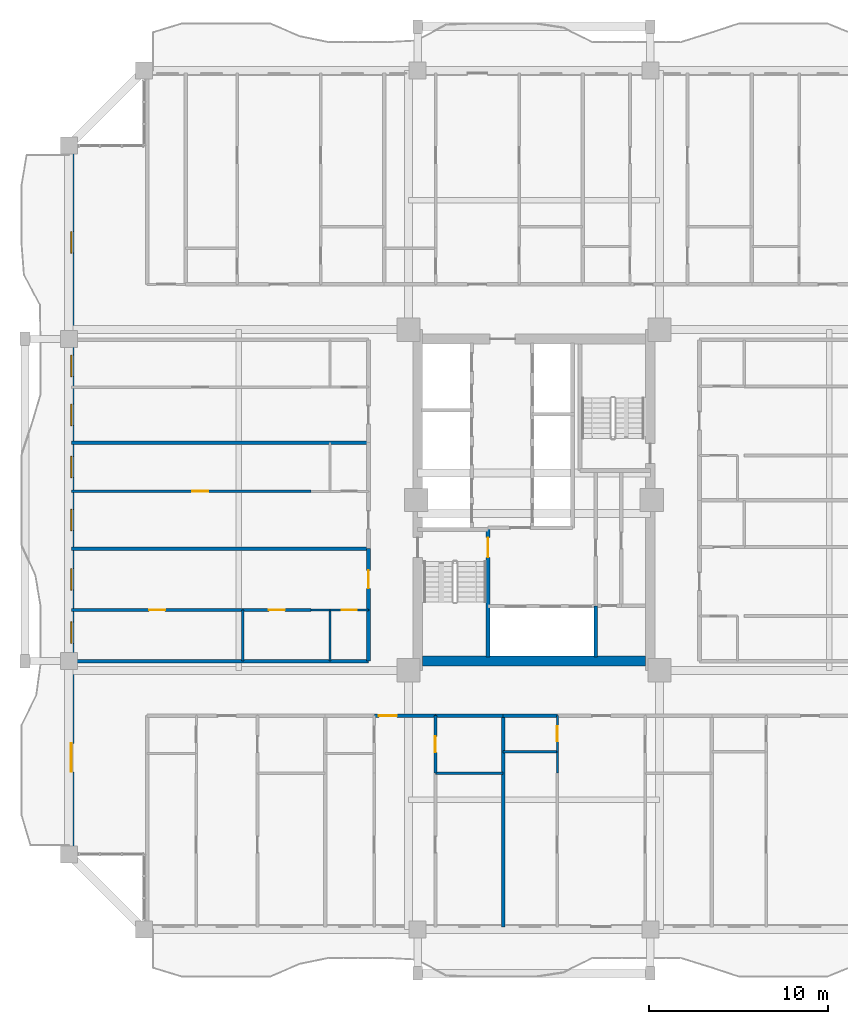
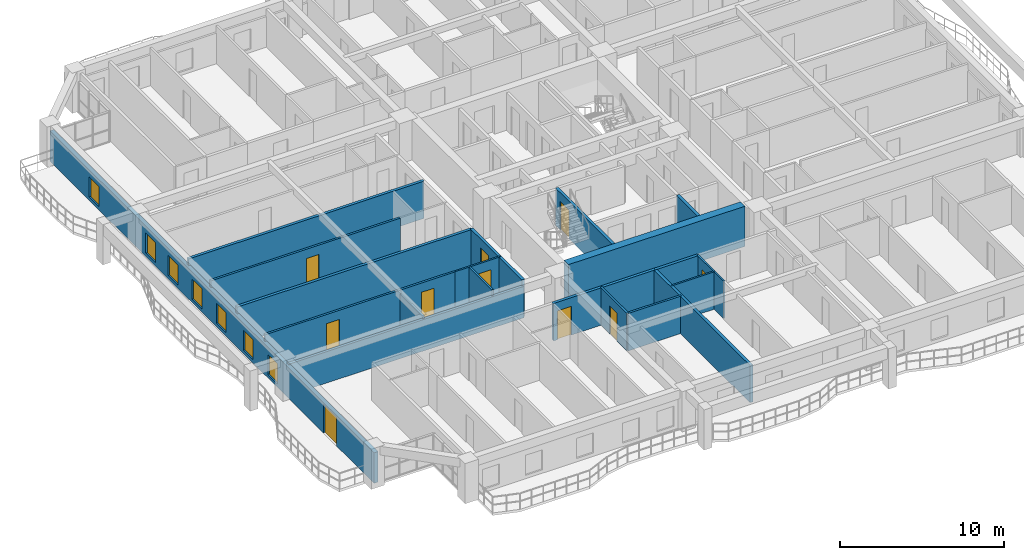
# One storey, part 15 of 26: 25 walls, 10 doors, 7 windows, 17 openings.
"""IFC4 building model written with IfcOpenShell, lengths in metres."""

from ifc_helpers import new_model, si_unit, direction, frame, frame_2d, origin, place, context, subcontext, project, spatial, rectangle, extrude, source, transform, mapped, material, layer, layer_set, type_object, element, fill, save


model = new_model("IFC4")

# Units and contexts
model_context = context("Model", 3, precision=1e-05, world=origin(), true_north=direction((0.0, 1.0)))
body_context = subcontext(model_context, "Body", "Model", "MODEL_VIEW")
ifc_project = project(units=[si_unit("LENGTHUNIT", "METRE"), si_unit("AREAUNIT", "SQUARE_METRE"), si_unit("VOLUMEUNIT", "CUBIC_METRE"), si_unit("PLANEANGLEUNIT", "RADIAN"), si_unit("MASSUNIT", "GRAM", prefix="KILO")], contexts=[model_context])

# Site, building, storey
site_placement = place(None, origin())
site = spatial("IfcSite", under=ifc_project, at=site_placement, CompositionType="ELEMENT")
building_placement = place(site_placement, origin())
building = spatial("IfcBuilding", under=site, at=building_placement, Name="Saelheon Loggia Tower", CompositionType="ELEMENT")
storey_placement = place(building_placement, frame((0.0, 0.0, 89.85009765625)))
storey = spatial("IfcBuildingStorey", under=building, at=storey_placement, Name="L28", CompositionType="ELEMENT", Elevation=89.85009765625)

# Wall
ifc_material_1 = material(Name="Concrete C50/60", Category="concrete")
ifc_layer_1 = layer(ifc_material_1, 0.550048828125)
ifc_layer_set_1 = layer_set([ifc_layer_1], Name="Concrete C50/60")
wall_type_1 = type_object("IfcWallType", Name="Wall_CoreShear_550", PredefinedType="SHEAR", material=ifc_layer_set_1)
wall_1_placement = place(storey_placement, frame((31.77490234375, 18.0, 0.0), z_axis=(0.0, 0.0, 1.0), x_axis=(1.0, 0.0, 0.0)))
element("IfcWall", 1, at=wall_1_placement, inside=storey, type_object=wall_type_1, Name="L28 Core Shear Wall South", PredefinedType="SHEAR", context=body_context, shape_type="SweptSolid", body=[
    extrude(rectangle(XDim=12.4501953125, YDim=0.550048828125, at=frame_2d((6.22509765625, 0.0))), origin(), (0.0, 0.0, 1.0), 3.0),
])

# Wall, openings, windows, door
ifc_material_2 = material(Name="Architectural Precast Concrete C40/50", Category="concrete")
ifc_layer_2 = layer(ifc_material_2, 0.280029296875)
ifc_layer_set_2 = layer_set([ifc_layer_2], Name="Architectural Precast Concrete C40/50")
wall_type_2 = type_object("IfcWallType", Name="Wall_Ext_Loggia_280", PredefinedType="SOLIDWALL", material=ifc_layer_set_2)
wall_2_placement = place(storey_placement, frame((12.139892578125, 7.199951171875, 0.0), z_axis=(0.0, 0.0, 1.0), x_axis=(0.0, 1.0, 0.0)))
wall_2 = element("IfcWall", 2, at=wall_2_placement, inside=storey, type_object=wall_type_2, Name="L28 West Loggia Inner Wall", PredefinedType="SOLIDWALL", context=body_context, shape_type="SweptSolid", body=[
    extrude(rectangle(XDim=39.60009765625, YDim=0.280029296875, at=frame_2d((19.800048828125, 0.0))), origin(), (0.0, 0.0, 1.0), 2.27978515625),
])
opening_1_placement = place(wall_2_placement, frame((4.60009765625, 0.0, 0.0)))
opening_1 = element("IfcOpeningElement", 3, at=opening_1_placement, cuts=wall_2, Name="Opening DLG-1", PredefinedType="OPENING", context=body_context, shape_type="SweptSolid", body=[
    extrude(rectangle(XDim=1.60009765625, YDim=2.14990234375, at=frame_2d((0.800048828125, 1.074951171875))), frame((0.0, 0.152099609375, 0.0), z_axis=(0.0, -1.0, 0.0), x_axis=(1.0, 0.0, 0.0)), (0.0, 0.0, 1.0), 0.303955078125),
])
opening_2_placement = place(wall_2_placement, frame((11.782470703125, 0.0, 0.25)))
opening_2 = element("IfcOpeningElement", 4, at=opening_2_placement, cuts=wall_2, Name="Opening WN-03", PredefinedType="OPENING", context=body_context, shape_type="SweptSolid", body=[
    extrude(rectangle(XDim=1.199951171875, YDim=1.5, at=frame_2d((0.60009765625, 0.75))), frame((0.0, 0.152099609375, 0.0), z_axis=(0.0, -1.0, 0.0), x_axis=(1.0, 0.0, 0.0)), (0.0, 0.0, 1.0), 0.303955078125),
])
opening_3_placement = place(wall_2_placement, frame((14.766357421875, 0.0, 0.25)))
opening_3 = element("IfcOpeningElement", 5, at=opening_3_placement, cuts=wall_2, Name="Opening WN-03", PredefinedType="OPENING", context=body_context, shape_type="SweptSolid", body=[
    extrude(rectangle(XDim=1.199951171875, YDim=1.5, at=frame_2d((0.60009765625, 0.75))), frame((0.0, 0.152099609375, 0.0), z_axis=(0.0, -1.0, 0.0), x_axis=(1.0, 0.0, 0.0)), (0.0, 0.0, 1.0), 0.303955078125),
])
opening_4_placement = place(wall_2_placement, frame((18.081787109375, 0.0, 0.25)))
opening_4 = element("IfcOpeningElement", 6, at=opening_4_placement, cuts=wall_2, Name="Opening WN-03", PredefinedType="OPENING", context=body_context, shape_type="SweptSolid", body=[
    extrude(rectangle(XDim=1.199951171875, YDim=1.5, at=frame_2d((0.60009765625, 0.75))), frame((0.0, 0.152099609375, 0.0), z_axis=(0.0, -1.0, 0.0), x_axis=(1.0, 0.0, 0.0)), (0.0, 0.0, 1.0), 0.303955078125),
])
opening_5_placement = place(wall_2_placement, frame((21.043701171875, 0.0, 0.25)))
opening_5 = element("IfcOpeningElement", 7, at=opening_5_placement, cuts=wall_2, Name="Opening WN-03", PredefinedType="OPENING", context=body_context, shape_type="SweptSolid", body=[
    extrude(rectangle(XDim=1.199951171875, YDim=1.5, at=frame_2d((0.60009765625, 0.75))), frame((0.0, 0.152099609375, 0.0), z_axis=(0.0, -1.0, 0.0), x_axis=(1.0, 0.0, 0.0)), (0.0, 0.0, 1.0), 0.303955078125),
])
opening_6_placement = place(wall_2_placement, frame((23.956787109375, 0.0, 0.25)))
opening_6 = element("IfcOpeningElement", 8, at=opening_6_placement, cuts=wall_2, Name="Opening WN-03", PredefinedType="OPENING", context=body_context, shape_type="SweptSolid", body=[
    extrude(rectangle(XDim=1.199951171875, YDim=1.5, at=frame_2d((0.60009765625, 0.75))), frame((0.0, 0.152099609375, 0.0), z_axis=(0.0, -1.0, 0.0), x_axis=(1.0, 0.0, 0.0)), (0.0, 0.0, 1.0), 0.303955078125),
])
opening_7_placement = place(wall_2_placement, frame((26.6962890625, 0.0, 0.25)))
opening_7 = element("IfcOpeningElement", 9, at=opening_7_placement, cuts=wall_2, Name="Opening WN-03", PredefinedType="OPENING", context=body_context, shape_type="SweptSolid", body=[
    extrude(rectangle(XDim=1.199951171875, YDim=1.5, at=frame_2d((0.60009765625, 0.75))), frame((0.0, 0.152099609375, 0.0), z_axis=(0.0, -1.0, 0.0), x_axis=(1.0, 0.0, 0.0)), (0.0, 0.0, 1.0), 0.303955078125),
])
opening_8_placement = place(wall_2_placement, frame((33.60009765625, 0.0, 0.25)))
opening_8 = element("IfcOpeningElement", 10, at=opening_8_placement, cuts=wall_2, Name="Opening WN-03", PredefinedType="OPENING", context=body_context, shape_type="SweptSolid", body=[
    extrude(rectangle(XDim=1.199951171875, YDim=1.5, at=frame_2d((0.60009765625, 0.75))), frame((0.0, 0.152099609375, 0.0), z_axis=(0.0, -1.0, 0.0), x_axis=(1.0, 0.0, 0.0)), (0.0, 0.0, 1.0), 0.303955078125),
])
ifc_material_3 = material(Name="Thermal-Break Aluminium and Triple Low-E Glass", Category="aluminium")
window_type = type_object("IfcWindowType", Name="Win_Bedroom_1200x1500", PartitioningType="SINGLE_PANEL", PredefinedType="WINDOW", material=ifc_material_3)
shared_shape_1 = source(origin(), body_context, "Body", "SweptSolid", [
    extrude(rectangle(XDim=1.199951171875, YDim=1.5, at=frame_2d((0.60009765625, 0.75))), frame((0.0, 0.030029296875, 0.0), z_axis=(0.0, -1.0, 0.0), x_axis=(1.0, 0.0, 0.0)), (0.0, 0.0, 1.0), 0.06005859375),
])
window_1_placement = place(opening_2_placement, origin())
window_1 = element("IfcWindow", 11, at=window_1_placement, inside=storey, type_object=window_type, Name="L28 W Dwelling Window 2", OverallHeight=1.5, OverallWidth=1.199951171875, PartitioningType="SINGLE_PANEL", PredefinedType="WINDOW", context=body_context, shape_type="MappedRepresentation", body=[
    mapped(shared_shape_1, transform((0.0, 0.0, 0.0), scale=1.0)),
])
fill(opening_2, window_1)
window_2_placement = place(opening_3_placement, origin())
window_2 = element("IfcWindow", 12, at=window_2_placement, inside=storey, type_object=window_type, Name="L28 W Dwelling Window 3", OverallHeight=1.5, OverallWidth=1.199951171875, PartitioningType="SINGLE_PANEL", PredefinedType="WINDOW", context=body_context, shape_type="MappedRepresentation", body=[
    mapped(shared_shape_1, transform((0.0, 0.0, 0.0), scale=1.0)),
])
fill(opening_3, window_2)
window_3_placement = place(opening_4_placement, origin())
window_3 = element("IfcWindow", 13, at=window_3_placement, inside=storey, type_object=window_type, Name="L28 W Dwelling Window 4", OverallHeight=1.5, OverallWidth=1.199951171875, PartitioningType="SINGLE_PANEL", PredefinedType="WINDOW", context=body_context, shape_type="MappedRepresentation", body=[
    mapped(shared_shape_1, transform((0.0, 0.0, 0.0), scale=1.0)),
])
fill(opening_4, window_3)
window_4_placement = place(opening_5_placement, origin())
window_4 = element("IfcWindow", 14, at=window_4_placement, inside=storey, type_object=window_type, Name="L28 W Dwelling Window 5", OverallHeight=1.5, OverallWidth=1.199951171875, PartitioningType="SINGLE_PANEL", PredefinedType="WINDOW", context=body_context, shape_type="MappedRepresentation", body=[
    mapped(shared_shape_1, transform((0.0, 0.0, 0.0), scale=1.0)),
])
fill(opening_5, window_4)
window_5_placement = place(opening_6_placement, origin())
window_5 = element("IfcWindow", 15, at=window_5_placement, inside=storey, type_object=window_type, Name="L28 W Dwelling Window 6", OverallHeight=1.5, OverallWidth=1.199951171875, PartitioningType="SINGLE_PANEL", PredefinedType="WINDOW", context=body_context, shape_type="MappedRepresentation", body=[
    mapped(shared_shape_1, transform((0.0, 0.0, 0.0), scale=1.0)),
])
fill(opening_6, window_5)
window_6_placement = place(opening_7_placement, origin())
window_6 = element("IfcWindow", 16, at=window_6_placement, inside=storey, type_object=window_type, Name="L28 W Dwelling Window 7", OverallHeight=1.5, OverallWidth=1.199951171875, PartitioningType="SINGLE_PANEL", PredefinedType="WINDOW", context=body_context, shape_type="MappedRepresentation", body=[
    mapped(shared_shape_1, transform((0.0, 0.0, 0.0), scale=1.0)),
])
fill(opening_7, window_6)
window_7_placement = place(opening_8_placement, origin())
window_7 = element("IfcWindow", 17, at=window_7_placement, inside=storey, type_object=window_type, Name="L28 W Dwelling Window 8", OverallHeight=1.5, OverallWidth=1.199951171875, PartitioningType="SINGLE_PANEL", PredefinedType="WINDOW", context=body_context, shape_type="MappedRepresentation", body=[
    mapped(shared_shape_1, transform((0.0, 0.0, 0.0), scale=1.0)),
])
fill(opening_8, window_7)
ifc_material_4 = material(Name="Thermal-Break Aluminium Sliding Glazed Door", Category="aluminium")
door_type_1 = type_object("IfcDoorType", Name="Door_LoggiaSlide_1600", OperationType="SLIDING_TO_LEFT", PredefinedType="DOOR", material=ifc_material_4)
shared_shape_2 = source(origin(), body_context, "Body", "SweptSolid", [
    extrude(rectangle(XDim=1.60009765625, YDim=2.14990234375, at=frame_2d((0.800048828125, 1.074951171875))), frame((0.0, 0.02490234375, 0.0), z_axis=(0.0, -1.0, 0.0), x_axis=(1.0, 0.0, 0.0)), (0.0, 0.0, 1.0), 0.050048828125),
])
door_1_placement = place(opening_1_placement, origin())
door_1 = element("IfcDoor", 18, at=door_1_placement, inside=storey, type_object=door_type_1, Name="L28 W Loggia Access Door", OperationType="SLIDING_TO_LEFT", OverallHeight=2.14990234375, OverallWidth=1.60009765625, PredefinedType="DOOR", context=body_context, shape_type="MappedRepresentation", body=[
    mapped(shared_shape_2, transform((0.0, 0.0, 0.0), scale=1.0)),
])
fill(opening_1, door_1)

# Wall
ifc_material_5 = material(Name="Lightweight Autoclaved Aerated Concrete Block and Acoustic Gypsum", Category="concrete")
ifc_layer_3 = layer(ifc_material_5, 0.14990234375)
ifc_layer_set_3 = layer_set([ifc_layer_3], Name="Lightweight Autoclaved Aerated Concrete Block and Acoustic Gypsum")
wall_type_3 = type_object("IfcWallType", Name="Wall_Part_150", PredefinedType="PARTITIONING", material=ifc_layer_set_3)
wall_3_placement = place(storey_placement, frame((32.4912109375, 11.72998046875, 0.0), z_axis=(0.0, 0.0, 1.0), x_axis=(1.0, 0.0, 0.0)))
element("IfcWall", 19, at=wall_3_placement, inside=storey, type_object=wall_type_3, Name="L28 S Partition V18", PredefinedType="PARTITIONING", context=body_context, shape_type="SweptSolid", body=[
    extrude(rectangle(XDim=3.779296875, YDim=0.14990234375, at=frame_2d((1.8896484375, 0.0))), origin(), (0.0, 0.0, 1.0), 2.789794921875),
])

# Wall, opening, door
wall_4_placement = place(storey_placement, frame((32.4912109375, 14.949951171875, 0.0), z_axis=(0.0, 0.0, 1.0), x_axis=(0.0, -1.0, 0.0)))
wall_4 = element("IfcWall", 20, at=wall_4_placement, inside=storey, type_object=wall_type_3, Name="L28 S Partition U22", PredefinedType="PARTITIONING", context=body_context, shape_type="SweptSolid", body=[
    extrude(rectangle(XDim=3.219970703125, YDim=0.14990234375, at=frame_2d((1.60986328125, 0.0))), origin(), (0.0, 0.0, 1.0), 2.789794921875),
])
opening_9_placement = place(wall_4_placement, frame((1.159912109375, 0.0, 0.0)))
opening_9 = element("IfcOpeningElement", 21, at=opening_9_placement, cuts=wall_4, Name="Opening D-IN2", PredefinedType="OPENING", context=body_context, shape_type="SweptSolid", body=[
    extrude(rectangle(XDim=0.89990234375, YDim=2.10009765625, at=frame_2d((0.449951171875, 1.050048828125))), frame((0.0, 0.0869140625, 0.0), z_axis=(0.0, -1.0, 0.0), x_axis=(1.0, 0.0, 0.0)), (0.0, 0.0, 1.0), 0.173828125),
])
ifc_material_6 = material(Name="Engineered Oak Flush Door", Category="timber")
door_type_2 = type_object("IfcDoorType", Name="Door_Int_900", OperationType="NOTDEFINED", PredefinedType="DOOR", material=ifc_material_6)
shared_shape_3 = source(origin(), body_context, "Body", "SweptSolid", [
    extrude(rectangle(XDim=0.89990234375, YDim=2.10009765625, at=frame_2d((0.449951171875, 1.050048828125))), frame((0.0, 0.02490234375, 0.0), z_axis=(0.0, -1.0, 0.0), x_axis=(1.0, 0.0, 0.0)), (0.0, 0.0, 1.0), 0.050048828125),
])
door_2_placement = place(opening_9_placement, origin())
door_2 = element("IfcDoor", 22, at=door_2_placement, inside=storey, type_object=door_type_2, Name="Unit U02 Home Office Door", OperationType="SINGLE_SWING_LEFT", OverallHeight=2.10009765625, OverallWidth=0.89990234375, PredefinedType="DOOR", context=body_context, shape_type="MappedRepresentation", body=[
    mapped(shared_shape_3, transform((0.0, 0.0, 0.0), scale=1.0)),
])
fill(opening_9, door_2)

# Wall
wall_5_placement = place(storey_placement, frame((21.72998046875, 18.0, 0.0), z_axis=(0.0, 0.0, 1.0), x_axis=(0.0, 1.0, 0.0)))
element("IfcWall", 23, at=wall_5_placement, inside=storey, type_object=wall_type_3, Name="L28 W Partition V08", PredefinedType="PARTITIONING", context=body_context, shape_type="SweptSolid", body=[
    extrude(rectangle(XDim=2.85009765625, YDim=0.14990234375, at=frame_2d((1.425048828125, 0.0))), origin(), (0.0, 0.0, 1.0), 2.489990234375),
])

# Wall, opening, door
wall_6_placement = place(storey_placement, frame((25.530029296875, 20.85009765625, 0.0), z_axis=(0.0, 0.0, 1.0), x_axis=(-1.0, 0.0, 0.0)))
wall_6 = element("IfcWall", 24, at=wall_6_placement, inside=storey, type_object=wall_type_3, Name="L28 W Partition U09", PredefinedType="PARTITIONING", context=body_context, shape_type="SweptSolid", body=[
    extrude(rectangle(XDim=3.800048828125, YDim=0.14990234375, at=frame_2d((1.89990234375, 0.0))), origin(), (0.0, 0.0, 1.0), 2.789794921875),
])
opening_10_placement = place(wall_6_placement, frame((1.449951171875, 0.0, 0.0)))
opening_10 = element("IfcOpeningElement", 25, at=opening_10_placement, cuts=wall_6, Name="Opening D-IN2", PredefinedType="OPENING", context=body_context, shape_type="SweptSolid", body=[
    extrude(rectangle(XDim=0.89990234375, YDim=2.10009765625, at=frame_2d((0.449951171875, 1.050048828125))), frame((0.0, 0.0869140625, 0.0), z_axis=(0.0, -1.0, 0.0), x_axis=(1.0, 0.0, 0.0)), (0.0, 0.0, 1.0), 0.173828125),
])
door_3_placement = place(opening_10_placement, origin())
door_3 = element("IfcDoor", 26, at=door_3_placement, inside=storey, type_object=door_type_2, Name="Unit U09 Kitchen Door", OperationType="SINGLE_SWING_RIGHT", OverallHeight=2.10009765625, OverallWidth=0.89990234375, PredefinedType="DOOR", context=body_context, shape_type="MappedRepresentation", body=[
    mapped(shared_shape_3, transform((0.0, 0.0, 0.0), scale=1.0)),
])
fill(opening_10, door_3)

wall_7_placement = place(storey_placement, frame((21.72998046875, 20.85009765625, 0.0), z_axis=(0.0, 0.0, 1.0), x_axis=(-1.0, 0.0, 0.0)))
wall_7 = element("IfcWall", 27, at=wall_7_placement, inside=storey, type_object=wall_type_3, Name="L28 W Partition U10", PredefinedType="PARTITIONING", context=body_context, shape_type="SweptSolid", body=[
    extrude(rectangle(XDim=9.580078125, YDim=0.14990234375, at=frame_2d((4.7900390625, 0.0))), origin(), (0.0, 0.0, 1.0), 2.789794921875),
])
opening_11_placement = place(wall_7_placement, frame((4.340087890625, 0.0, 0.0)))
opening_11 = element("IfcOpeningElement", 28, at=opening_11_placement, cuts=wall_7, Name="Opening D-IN2", PredefinedType="OPENING", context=body_context, shape_type="SweptSolid", body=[
    extrude(rectangle(XDim=0.89990234375, YDim=2.10009765625, at=frame_2d((0.449951171875, 1.050048828125))), frame((0.0, 0.0869140625, 0.0), z_axis=(0.0, -1.0, 0.0), x_axis=(1.0, 0.0, 0.0)), (0.0, 0.0, 1.0), 0.173828125),
])
door_4_placement = place(opening_11_placement, origin())
door_4 = element("IfcDoor", 29, at=door_4_placement, inside=storey, type_object=door_type_2, Name="Unit U09 Bedroom 1 Door", OperationType="SINGLE_SWING_LEFT", OverallHeight=2.10009765625, OverallWidth=0.89990234375, PredefinedType="DOOR", context=body_context, shape_type="MappedRepresentation", body=[
    mapped(shared_shape_3, transform((0.0, 0.0, 0.0), scale=1.0)),
])
fill(opening_11, door_4)

wall_8_placement = place(storey_placement, frame((25.530029296875, 27.481201171875, 0.0), z_axis=(0.0, 0.0, 1.0), x_axis=(-1.0, 0.0, 0.0)))
wall_8 = element("IfcWall", 30, at=wall_8_placement, inside=storey, type_object=wall_type_3, Name="L28 W Partition U17", PredefinedType="PARTITIONING", context=body_context, shape_type="SweptSolid", body=[
    extrude(rectangle(XDim=13.380126953125, YDim=0.14990234375, at=frame_2d((6.68994140625, 0.0))), origin(), (0.0, 0.0, 1.0), 2.789794921875),
])
opening_12_placement = place(wall_8_placement, frame((5.739990234375, 0.0, 0.0)))
opening_12 = element("IfcOpeningElement", 31, at=opening_12_placement, cuts=wall_8, Name="Opening D-IN2", PredefinedType="OPENING", context=body_context, shape_type="SweptSolid", body=[
    extrude(rectangle(XDim=0.89990234375, YDim=2.10009765625, at=frame_2d((0.449951171875, 1.050048828125))), frame((0.0, 0.0869140625, 0.0), z_axis=(0.0, -1.0, 0.0), x_axis=(1.0, 0.0, 0.0)), (0.0, 0.0, 1.0), 0.173828125),
])
door_5_placement = place(opening_12_placement, origin())
door_5 = element("IfcDoor", 32, at=door_5_placement, inside=storey, type_object=door_type_2, Name="Unit U10 Kitchen Door", OperationType="SINGLE_SWING_RIGHT", OverallHeight=2.10009765625, OverallWidth=0.89990234375, PredefinedType="DOOR", context=body_context, shape_type="MappedRepresentation", body=[
    mapped(shared_shape_3, transform((0.0, 0.0, 0.0), scale=1.0)),
])
fill(opening_12, door_5)

ifc_material_7 = material(Name="Double Acoustic Stud and Fireboard Partition", Category="gypsum")
ifc_layer_4 = layer(ifc_material_7, 0.199951171875)
ifc_layer_set_4 = layer_set([ifc_layer_4], Name="Double Acoustic Stud and Fireboard Partition")
wall_type_4 = type_object("IfcWallType", Name="Wall_Party_200", PredefinedType="PARTITIONING", material=ifc_layer_set_4)
wall_9_placement = place(storey_placement, frame((29.0751953125, 14.949951171875, 0.0), z_axis=(0.0, 0.0, 1.0), x_axis=(1.0, 0.0, 0.0)))
wall_9 = element("IfcWall", 33, at=wall_9_placement, inside=storey, type_object=wall_type_4, Name="L28 S Partition V15", PredefinedType="PARTITIONING", context=body_context, shape_type="SweptSolid", body=[
    extrude(rectangle(XDim=3.416015625, YDim=0.199951171875, at=frame_2d((1.7080078125, 0.0))), origin(), (0.0, 0.0, 1.0), 2.789794921875),
])
opening_13_placement = place(wall_9_placement, frame((0.260009765625, 0.0, 0.0)))
opening_13 = element("IfcOpeningElement", 34, at=opening_13_placement, cuts=wall_9, Name="Opening D-FD1", PredefinedType="OPENING", context=body_context, shape_type="SweptSolid", body=[
    extrude(rectangle(XDim=1.0, YDim=2.14990234375, at=frame_2d((0.5, 1.074951171875))), frame((0.0, 0.112060546875, 0.0), z_axis=(0.0, -1.0, 0.0), x_axis=(1.0, 0.0, 0.0)), (0.0, 0.0, 1.0), 0.223876953125),
])
ifc_material_8 = material(Name="Fire-Rated Engineered Timber Entrance Door", Category="wood")
door_type_3 = type_object("IfcDoorType", Name="Door_Flat_FD30S", OperationType="NOTDEFINED", PredefinedType="DOOR", material=ifc_material_8)
shared_shape_4 = source(origin(), body_context, "Body", "SweptSolid", [
    extrude(rectangle(XDim=1.0, YDim=2.14990234375, at=frame_2d((0.5, 1.074951171875))), frame((0.0, 0.02490234375, 0.0), z_axis=(0.0, -1.0, 0.0), x_axis=(1.0, 0.0, 0.0)), (0.0, 0.0, 1.0), 0.050048828125),
])
door_6_placement = place(opening_13_placement, origin())
door_6 = element("IfcDoor", 35, at=door_6_placement, inside=storey, type_object=door_type_3, Name="Unit U02 Entrance Door", OperationType="SINGLE_SWING_RIGHT", OverallHeight=2.14990234375, OverallWidth=1.0, PredefinedType="DOOR", context=body_context, shape_type="MappedRepresentation", body=[
    mapped(shared_shape_4, transform((0.0, 0.0, 0.0), scale=1.0)),
])
fill(opening_13, door_6)

# Walls
wall_10_placement = place(storey_placement, frame((32.4912109375, 14.949951171875, 0.0), z_axis=(0.0, 0.0, 1.0), x_axis=(1.0, 0.0, 0.0)))
element("IfcWall", 36, at=wall_10_placement, inside=storey, type_object=wall_type_4, Name="L28 S Partition V16", PredefinedType="PARTITIONING", context=body_context, shape_type="SweptSolid", body=[
    extrude(rectangle(XDim=3.779296875, YDim=0.199951171875, at=frame_2d((1.8896484375, 0.0))), origin(), (0.0, 0.0, 1.0), 2.789794921875),
])
wall_11_placement = place(storey_placement, frame((36.2705078125, 14.949951171875, 0.0), z_axis=(0.0, 0.0, 1.0), x_axis=(0.0, -1.0, 0.0)))
element("IfcWall", 37, at=wall_11_placement, inside=storey, type_object=wall_type_4, Name="L28 S Partition U24", PredefinedType="PARTITIONING", context=body_context, shape_type="SweptSolid", body=[
    extrude(rectangle(XDim=11.800048828125, YDim=0.199951171875, at=frame_2d((5.89990234375, 0.0))), origin(), (0.0, 0.0, 1.0), 2.789794921875),
])
wall_12_placement = place(storey_placement, frame((36.2705078125, 14.949951171875, 0.0), z_axis=(0.0, 0.0, 1.0), x_axis=(1.0, 0.0, 0.0)))
element("IfcWall", 38, at=wall_12_placement, inside=storey, type_object=wall_type_4, Name="L28 S Partition V25", PredefinedType="PARTITIONING", context=body_context, shape_type="SweptSolid", body=[
    extrude(rectangle(XDim=3.035400390625, YDim=0.199951171875, at=frame_2d((1.517578125, 0.0))), origin(), (0.0, 0.0, 1.0), 2.789794921875),
])
wall_13_placement = place(storey_placement, frame((28.75, 18.0, 0.0), z_axis=(0.0, 0.0, 1.0), x_axis=(-1.0, 0.0, 0.0)))
element("IfcWall", 39, at=wall_13_placement, inside=storey, type_object=wall_type_4, Name="L28 W Partition U01", PredefinedType="PARTITIONING", context=body_context, shape_type="SweptSolid", body=[
    extrude(rectangle(XDim=16.60009765625, YDim=0.199951171875, at=frame_2d((8.300048828125, 0.0))), origin(), (0.0, 0.0, 1.0), 2.33984375),
])
wall_14_placement = place(storey_placement, frame((28.75, 18.0, 0.0), z_axis=(0.0, 0.0, 1.0), x_axis=(0.0, 1.0, 0.0)))
element("IfcWall", 40, at=wall_14_placement, inside=storey, type_object=wall_type_4, Name="L28 W Partition V03", PredefinedType="PARTITIONING", context=body_context, shape_type="SweptSolid", body=[
    extrude(rectangle(XDim=2.85009765625, YDim=0.199951171875, at=frame_2d((1.425048828125, 0.0))), origin(), (0.0, 0.0, 1.0), 2.789794921875),
])

# Wall, opening, door
wall_15_placement = place(storey_placement, frame((28.75, 20.85009765625, 0.0), z_axis=(0.0, 0.0, 1.0), x_axis=(0.0, 1.0, 0.0)))
wall_15 = element("IfcWall", 41, at=wall_15_placement, inside=storey, type_object=wall_type_4, Name="L28 W Partition V04", PredefinedType="PARTITIONING", context=body_context, shape_type="SweptSolid", body=[
    extrude(rectangle(XDim=3.432373046875, YDim=0.199951171875, at=frame_2d((1.71630859375, 0.0))), origin(), (0.0, 0.0, 1.0), 2.789794921875),
])
opening_14_placement = place(wall_15_placement, frame((1.21630859375, 0.0, 0.0)))
opening_14 = element("IfcOpeningElement", 42, at=opening_14_placement, cuts=wall_15, Name="Opening D-FD1", PredefinedType="OPENING", context=body_context, shape_type="SweptSolid", body=[
    extrude(rectangle(XDim=1.0, YDim=2.14990234375, at=frame_2d((0.5, 1.074951171875))), frame((0.0, 0.112060546875, 0.0), z_axis=(0.0, -1.0, 0.0), x_axis=(1.0, 0.0, 0.0)), (0.0, 0.0, 1.0), 0.223876953125),
])
door_7_placement = place(opening_14_placement, origin())
door_7 = element("IfcDoor", 43, at=door_7_placement, inside=storey, type_object=door_type_3, Name="Unit U09 Entrance Door", OperationType="SINGLE_SWING_RIGHT", OverallHeight=2.14990234375, OverallWidth=1.0, PredefinedType="DOOR", context=body_context, shape_type="MappedRepresentation", body=[
    mapped(shared_shape_4, transform((0.0, 0.0, 0.0), scale=1.0)),
])
fill(opening_14, door_7)

# Walls
for number, where, z_axis, x_axis, name in (
    (44, (28.75, 24.282470703125, 0.0), (0.0, 0.0, 1.0), (-1.0, 0.0, 0.0), "L28 W Partition U11"),
    (45, (28.75, 30.2060546875, 0.0), (0.0, 0.0, 1.0), (-1.0, 0.0, 0.0), "L28 W Partition U18"),
):
    element("IfcWall", number, at=place(storey_placement, frame(where, z_axis=z_axis, x_axis=x_axis)), inside=storey, type_object=wall_type_4, Name=name, PredefinedType="PARTITIONING", context=body_context, shape_type="SweptSolid", body=[
        extrude(rectangle(XDim=16.60009765625, YDim=0.199951171875, at=frame_2d((8.300048828125, 0.0))), origin(), (0.0, 0.0, 1.0), 2.789794921875),
    ])
ifc_material_9 = material(Name="Concrete C40/50", Category="concrete")
ifc_layer_5 = layer(ifc_material_9, 0.199951171875)
ifc_layer_set_5 = layer_set([ifc_layer_5], Name="Concrete C40/50")
wall_type_5 = type_object("IfcWallType", Name="Wall_Shaft_200", PredefinedType="PARTITIONING", material=ifc_layer_set_5)
wall_16_placement = place(storey_placement, frame((41.449951171875, 18.219970703125, 0.0), z_axis=(0.0, 0.0, 1.0), x_axis=(0.0, 1.0, 0.0)))
element("IfcWall", 46, at=wall_16_placement, inside=storey, type_object=wall_type_5, Name="CW-INT-L28-BOH-W0", PredefinedType="PARTITIONING", context=body_context, shape_type="SweptSolid", body=[
    extrude(rectangle(XDim=2.860107421875, YDim=0.199951171875, at=frame_2d((1.43017578125, 0.0))), origin(), (0.0, 0.0, 1.0), 2.789794921875),
])

# Wall, opening, door
ifc_material_10 = material(Name="Concrete C45/55", Category="concrete")
ifc_layer_6 = layer(ifc_material_10, 0.199951171875)
ifc_layer_set_6 = layer_set([ifc_layer_6], Name="Concrete C45/55")
wall_type_6 = type_object("IfcWallType", Name="Wall_StairShaft_RC200", PredefinedType="SOLIDWALL", material=ifc_layer_set_6)
wall_17_placement = place(storey_placement, frame((35.429931640625, 18.219970703125, 0.0), z_axis=(0.0, 0.0, 1.0), x_axis=(0.0, 1.0, 0.0)))
wall_17 = element("IfcWall", 47, at=wall_17_placement, inside=storey, type_object=wall_type_6, Name="L28 Stair ST1 Shaft Wall", PredefinedType="SOLIDWALL", context=body_context, shape_type="SweptSolid", body=[
    extrude(rectangle(XDim=7.219970703125, YDim=0.199951171875, at=frame_2d((3.60986328125, 0.0))), origin(), (0.0, 0.0, 1.0), 2.789794921875),
])
opening_15_placement = place(wall_17_placement, frame((6.68017578125, 0.0, 0.0), z_axis=(0.0, 0.0, 1.0), x_axis=(-1.0, 0.0, 0.0)))
opening_15 = element("IfcOpeningElement", 48, at=opening_15_placement, cuts=wall_17, Name="Opening D-FD2", PredefinedType="OPENING", context=body_context, shape_type="SweptSolid", body=[
    extrude(rectangle(XDim=1.10009765625, YDim=2.14990234375, at=frame_2d((0.550048828125, 1.074951171875))), frame((0.0, 0.112060546875, 0.0), z_axis=(0.0, -1.0, 0.0), x_axis=(1.0, 0.0, 0.0)), (0.0, 0.0, 1.0), 0.223876953125),
])
ifc_material_11 = material(Name="Galvanised Steel Fire Door", Category="steel")
door_type_4 = type_object("IfcDoorType", Name="Door_Fire_FD60_1100", OperationType="NOTDEFINED", PredefinedType="DOOR", material=ifc_material_11)
shared_shape_5 = source(origin(), body_context, "Body", "SweptSolid", [
    extrude(rectangle(XDim=1.10009765625, YDim=2.14990234375, at=frame_2d((0.550048828125, 1.074951171875))), frame((0.0, 0.02490234375, 0.0), z_axis=(0.0, -1.0, 0.0), x_axis=(1.0, 0.0, 0.0)), (0.0, 0.0, 1.0), 0.050048828125),
])
door_8_placement = place(opening_15_placement, origin())
door_8 = element("IfcDoor", 49, at=door_8_placement, inside=storey, type_object=door_type_4, Name="L28 Stair ST1 Lobby Door", OperationType="SINGLE_SWING_RIGHT", OverallHeight=2.14990234375, OverallWidth=1.10009765625, PredefinedType="DOOR", context=body_context, shape_type="MappedRepresentation", body=[
    mapped(shared_shape_5, transform((0.0, 0.0, 0.0), scale=1.0)),
])
fill(opening_15, door_8)

# Wall
ifc_material_12 = material(Name="Moisture-Resistant Cement Board Partition", Category="gypsum")
ifc_layer_7 = layer(ifc_material_12, 0.1201171875)
ifc_layer_set_7 = layer_set([ifc_layer_7], Name="Moisture-Resistant Cement Board Partition")
wall_type_7 = type_object("IfcWallType", Name="Wall_WetPart_120", PredefinedType="PARTITIONING", material=ifc_layer_set_7)
wall_18_placement = place(storey_placement, frame((36.2705078125, 12.929931640625, 0.0), z_axis=(0.0, 0.0, 1.0), x_axis=(1.0, 0.0, 0.0)))
element("IfcWall", 50, at=wall_18_placement, inside=storey, type_object=wall_type_7, Name="L28 S Partition V28", PredefinedType="PARTITIONING", context=body_context, shape_type="SweptSolid", body=[
    extrude(rectangle(XDim=3.035400390625, YDim=0.1201171875, at=frame_2d((1.517578125, 0.0))), origin(), (0.0, 0.0, 1.0), 2.789794921875),
])

# Wall, opening, door
wall_19_placement = place(storey_placement, frame((39.305908203125, 14.949951171875, 0.0), z_axis=(0.0, 0.0, 1.0), x_axis=(0.0, -1.0, 0.0)))
wall_19 = element("IfcWall", 51, at=wall_19_placement, inside=storey, type_object=wall_type_7, Name="L28 S Partition U30", PredefinedType="PARTITIONING", context=body_context, shape_type="SweptSolid", body=[
    extrude(rectangle(XDim=2.02001953125, YDim=0.1201171875, at=frame_2d((1.010009765625, 0.0))), origin(), (0.0, 0.0, 1.0), 2.789794921875),
])
opening_16_placement = place(wall_19_placement, frame((0.5849609375, 0.0, 0.0)))
opening_16 = element("IfcOpeningElement", 52, at=opening_16_placement, cuts=wall_19, Name="Opening D-BT1", PredefinedType="OPENING", context=body_context, shape_type="SweptSolid", body=[
    extrude(rectangle(XDim=0.85009765625, YDim=2.050048828125, at=frame_2d((0.425048828125, 1.02490234375))), frame((0.0, 0.072021484375, 0.0), z_axis=(0.0, -1.0, 0.0), x_axis=(1.0, 0.0, 0.0)), (0.0, 0.0, 1.0), 0.14404296875),
])
ifc_material_13 = material(Name="Moisture-Resistant Laminate Timber Door", Category="wood")
door_type_5 = type_object("IfcDoorType", Name="Door_Bath_850", OperationType="NOTDEFINED", PredefinedType="DOOR", material=ifc_material_13)
shared_shape_6 = source(origin(), body_context, "Body", "SweptSolid", [
    extrude(rectangle(XDim=0.85009765625, YDim=2.050048828125, at=frame_2d((0.425048828125, 1.02490234375))), frame((0.0, 0.02490234375, 0.0), z_axis=(0.0, -1.0, 0.0), x_axis=(1.0, 0.0, 0.0)), (0.0, 0.0, 1.0), 0.050048828125),
])
door_9_placement = place(opening_16_placement, origin())
door_9 = element("IfcDoor", 53, at=door_9_placement, inside=storey, type_object=door_type_5, Name="Unit U03 Bathroom Door", OperationType="SINGLE_SWING_RIGHT", OverallHeight=2.050048828125, OverallWidth=0.85009765625, PredefinedType="DOOR", context=body_context, shape_type="MappedRepresentation", body=[
    mapped(shared_shape_6, transform((0.0, 0.0, 0.0), scale=1.0)),
])
fill(opening_16, door_9)

# Wall
wall_20_placement = place(storey_placement, frame((39.305908203125, 12.929931640625, 0.0), z_axis=(0.0, 0.0, 1.0), x_axis=(0.0, -1.0, 0.0)))
element("IfcWall", 54, at=wall_20_placement, inside=storey, type_object=wall_type_7, Name="L28 S Partition U31", PredefinedType="PARTITIONING", context=body_context, shape_type="SweptSolid", body=[
    extrude(rectangle(XDim=1.199951171875, YDim=0.1201171875, at=frame_2d((0.60009765625, 0.0))), origin(), (0.0, 0.0, 1.0), 2.789794921875),
])

# Wall, opening, door
wall_21_placement = place(storey_placement, frame((28.75, 20.85009765625, 0.0), z_axis=(0.0, 0.0, 1.0), x_axis=(-1.0, 0.0, 0.0)))
wall_21 = element("IfcWall", 55, at=wall_21_placement, inside=storey, type_object=wall_type_7, Name="L28 W Partition U05", PredefinedType="PARTITIONING", context=body_context, shape_type="SweptSolid", body=[
    extrude(rectangle(XDim=2.14990234375, YDim=0.1201171875, at=frame_2d((1.074951171875, 0.0))), origin(), (0.0, 0.0, 1.0), 2.789794921875),
])
opening_17_placement = place(wall_21_placement, frame((0.64990234375, 0.0, 0.0)))
opening_17 = element("IfcOpeningElement", 56, at=opening_17_placement, cuts=wall_21, Name="Opening D-BT1", PredefinedType="OPENING", context=body_context, shape_type="SweptSolid", body=[
    extrude(rectangle(XDim=0.85009765625, YDim=2.050048828125, at=frame_2d((0.425048828125, 1.02490234375))), frame((0.0, 0.072021484375, 0.0), z_axis=(0.0, -1.0, 0.0), x_axis=(1.0, 0.0, 0.0)), (0.0, 0.0, 1.0), 0.14404296875),
])
door_10_placement = place(opening_17_placement, origin())
door_10 = element("IfcDoor", 57, at=door_10_placement, inside=storey, type_object=door_type_5, Name="Unit U09 Bathroom Door", OperationType="SINGLE_SWING_LEFT", OverallHeight=2.050048828125, OverallWidth=0.85009765625, PredefinedType="DOOR", context=body_context, shape_type="MappedRepresentation", body=[
    mapped(shared_shape_6, transform((0.0, 0.0, 0.0), scale=1.0)),
])
fill(opening_17, door_10)

# Walls
wall_22_placement = place(storey_placement, frame((26.60009765625, 20.85009765625, 0.0), z_axis=(0.0, 0.0, 1.0), x_axis=(-1.0, 0.0, 0.0)))
element("IfcWall", 58, at=wall_22_placement, inside=storey, type_object=wall_type_7, Name="L28 W Partition U06", PredefinedType="PARTITIONING", context=body_context, shape_type="SweptSolid", body=[
    extrude(rectangle(XDim=1.070068359375, YDim=0.1201171875, at=frame_2d((0.53515625, 0.0))), origin(), (0.0, 0.0, 1.0), 2.789794921875),
])
wall_23_placement = place(storey_placement, frame((26.60009765625, 18.0, 0.0), z_axis=(0.0, 0.0, 1.0), x_axis=(0.0, 1.0, 0.0)))
element("IfcWall", 59, at=wall_23_placement, inside=storey, type_object=wall_type_7, Name="L28 W Partition V07", PredefinedType="PARTITIONING", context=body_context, shape_type="SweptSolid", body=[
    extrude(rectangle(XDim=2.85009765625, YDim=0.1201171875, at=frame_2d((1.425048828125, 0.0))), origin(), (0.0, 0.0, 1.0), 2.789794921875),
])

save(model, "model.ifc")
